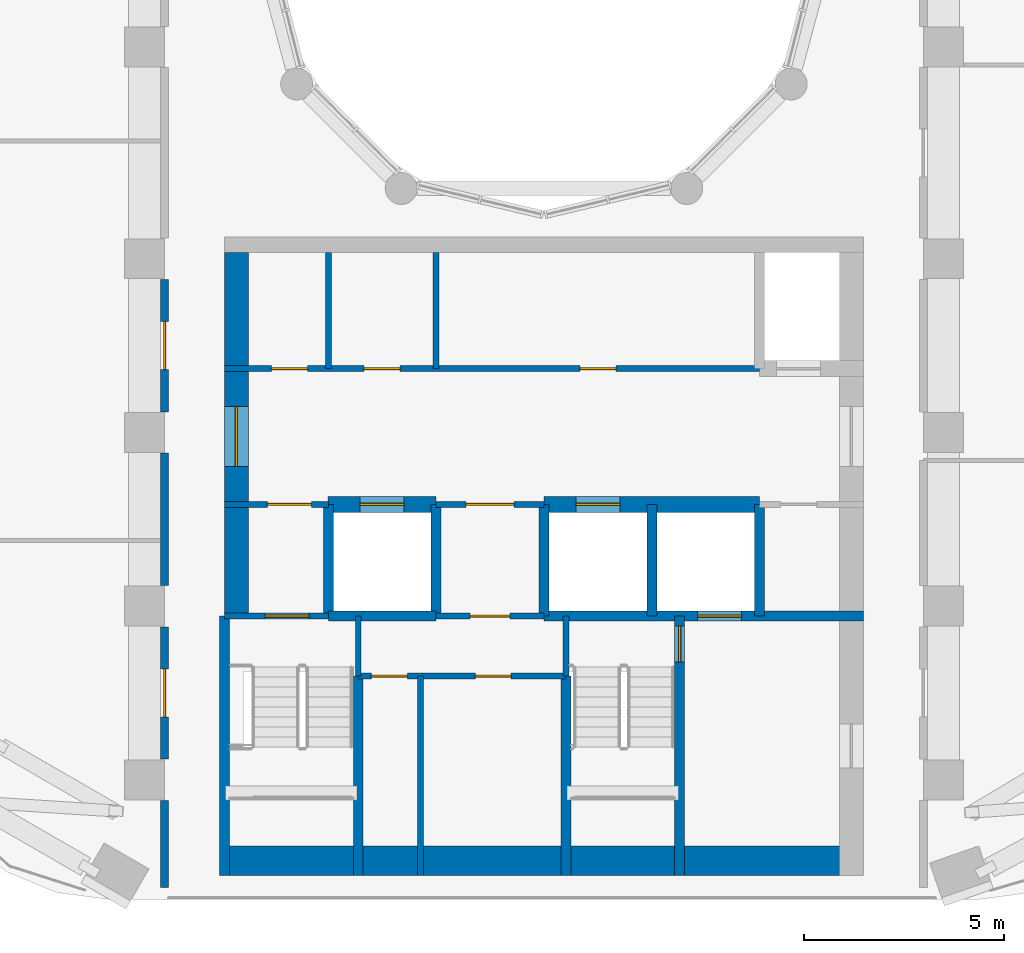
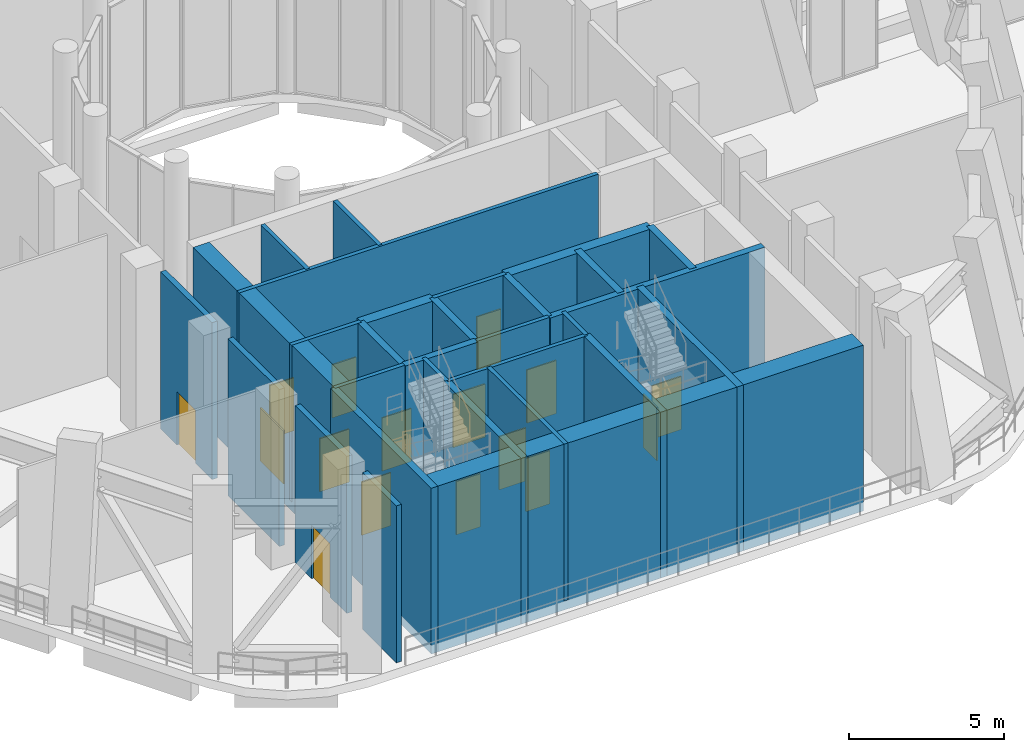
# One storey, part 8 of 19: 30 walls, 16 doors, 16 openings.
"""IFC4 building model written with IfcOpenShell, lengths in metres."""

from ifc_helpers import new_model, si_unit, direction, frame, frame_2d, origin, place, context, subcontext, project, spatial, rectangle, extrude, material, layer, layer_set, type_object, element, fill, save


model = new_model("IFC4")

# Units and contexts
model_context = context("Model", 3, precision=1e-05, world=origin(), true_north=direction((0.0, 1.0)))
body_context = subcontext(model_context, "Body", "Model", "MODEL_VIEW")
ifc_project = project(units=[si_unit("LENGTHUNIT", "METRE"), si_unit("AREAUNIT", "SQUARE_METRE"), si_unit("VOLUMEUNIT", "CUBIC_METRE"), si_unit("PLANEANGLEUNIT", "RADIAN"), si_unit("MASSUNIT", "GRAM", prefix="KILO")], contexts=[model_context])

# Site, building, storey
site_placement = place(None, origin())
site = spatial("IfcSite", under=ifc_project, at=site_placement, CompositionType="ELEMENT")
building_placement = place(site_placement, origin())
building = spatial("IfcBuilding", under=site, at=building_placement, Name="Nakaniwa Court", CompositionType="ELEMENT")
storey_placement = place(building_placement, frame((0.0, 0.0, 170.10009765625)))
storey = spatial("IfcBuildingStorey", under=building, at=storey_placement, Name="S3", CompositionType="ELEMENT", Elevation=170.10009765625)

# Wall
ifc_material_1 = material(Name="Acoustic double stud partition")
ifc_layer_1 = layer(ifc_material_1, 0.199951171875)
ifc_layer_set_1 = layer_set([ifc_layer_1], Name="Acoustic double stud partition")
wall_type_1 = type_object("IfcWallType", Name="Acoustic double stud partition 200", PredefinedType="PARTITIONING", material=ifc_layer_set_1)
wall_1_placement = place(storey_placement, frame((70.5, 56.300048828125, 0.0), z_axis=(0.0, 0.0, 1.0), x_axis=(0.0, 1.0, 0.0)))
element("IfcWall", 1, at=wall_1_placement, inside=storey, type_object=wall_type_1, Name="Partition PW-074", PredefinedType="PARTITIONING", context=body_context, shape_type="SweptSolid", body=[
    extrude(rectangle(XDim=2.182861328125, YDim=0.199951171875, at=frame_2d((1.09130859375, 0.0))), origin(), (0.0, 0.0, 1.0), 6.18994140625),
])

# Wall, opening, door
wall_2_placement = place(storey_placement, frame((70.5, 59.51708984375, 0.0), z_axis=(0.0, 0.0, 1.0), x_axis=(0.0, 1.0, 0.0)))
wall_2 = element("IfcWall", 2, at=wall_2_placement, inside=storey, type_object=wall_type_1, Name="Partition PW-075", PredefinedType="PARTITIONING", context=body_context, shape_type="SweptSolid", body=[
    extrude(rectangle(XDim=3.31591796875, YDim=0.199951171875, at=frame_2d((1.657958984375, 0.0))), origin(), (0.0, 0.0, 1.0), 6.18994140625),
])
opening_1_placement = place(wall_2_placement, frame((1.05810546875, 0.0, 0.0)))
opening_1 = element("IfcOpeningElement", 3, at=opening_1_placement, cuts=wall_2, Name="Opening D-35-03", PredefinedType="OPENING", context=body_context, shape_type="SweptSolid", body=[
    extrude(rectangle(XDim=1.199951171875, YDim=2.10009765625, at=frame_2d((0.60009765625, 1.050048828125))), frame((0.0, 0.10986328125, 0.0), z_axis=(0.0, -1.0, 0.0), x_axis=(1.0, 0.0, 0.0)), (0.0, 0.0, 1.0), 0.219970703125),
])
ifc_material_2 = material(Name="Fire rated steel door set", Category="steel")
door_type_1 = type_object("IfcDoorType", Name="Service room door 1200", OperationType="NOTDEFINED", PredefinedType="DOOR", material=ifc_material_2)
door_1_placement = place(opening_1_placement, origin())
door_1 = element("IfcDoor", 4, at=door_1_placement, inside=storey, type_object=door_type_1, Name="Door D-35-03 S3-028", OperationType="SINGLE_SWING_LEFT", OverallHeight=2.10009765625, OverallWidth=1.199951171875, PredefinedType="DOOR", context=body_context, shape_type="SweptSolid", body=[
    extrude(rectangle(XDim=1.199951171875, YDim=2.10009765625, at=frame_2d((0.60009765625, 1.050048828125))), frame((0.0, 0.02490234375, 0.0), z_axis=(0.0, -1.0, 0.0), x_axis=(1.0, 0.0, 0.0)), (0.0, 0.0, 1.0), 0.050048828125),
])
fill(opening_1, door_1)

# Wall
wall_3_placement = place(storey_placement, frame((70.5, 63.866943359375, 0.0), z_axis=(0.0, 0.0, 1.0), x_axis=(0.0, 1.0, 0.0)))
element("IfcWall", 5, at=wall_3_placement, inside=storey, type_object=wall_type_1, Name="Partition PW-076", PredefinedType="PARTITIONING", context=body_context, shape_type="SweptSolid", body=[
    extrude(rectangle(XDim=3.316162109375, YDim=0.199951171875, at=frame_2d((1.658203125, 0.0))), origin(), (0.0, 0.0, 1.0), 6.18994140625),
])

# Wall, opening, door
wall_4_placement = place(storey_placement, frame((70.5, 68.217041015625, 0.0), z_axis=(0.0, 0.0, 1.0), x_axis=(0.0, 1.0, 0.0)))
wall_4 = element("IfcWall", 6, at=wall_4_placement, inside=storey, type_object=wall_type_1, Name="Partition PW-077", PredefinedType="PARTITIONING", context=body_context, shape_type="SweptSolid", body=[
    extrude(rectangle(XDim=3.31591796875, YDim=0.199951171875, at=frame_2d((1.657958984375, 0.0))), origin(), (0.0, 0.0, 1.0), 6.18994140625),
])
opening_2_placement = place(wall_4_placement, frame((1.05810546875, 0.0, 0.0)))
opening_2 = element("IfcOpeningElement", 7, at=opening_2_placement, cuts=wall_4, Name="Opening D-30-04", PredefinedType="OPENING", context=body_context, shape_type="SweptSolid", body=[
    extrude(rectangle(XDim=1.199951171875, YDim=2.10009765625, at=frame_2d((0.60009765625, 1.050048828125))), frame((0.0, 0.10986328125, 0.0), z_axis=(0.0, -1.0, 0.0), x_axis=(1.0, 0.0, 0.0)), (0.0, 0.0, 1.0), 0.219970703125),
])
ifc_material_3 = material(Name="Solid core timber door set, black veneer", Category="wood")
door_type_2 = type_object("IfcDoorType", Name="Internal door 1200", OperationType="NOTDEFINED", PredefinedType="DOOR", material=ifc_material_3)
door_2_placement = place(opening_2_placement, origin())
door_2 = element("IfcDoor", 8, at=door_2_placement, inside=storey, type_object=door_type_2, Name="Door D-30-04 S3-029", OperationType="SINGLE_SWING_RIGHT", OverallHeight=2.10009765625, OverallWidth=1.199951171875, PredefinedType="DOOR", context=body_context, shape_type="SweptSolid", body=[
    extrude(rectangle(XDim=1.199951171875, YDim=2.10009765625, at=frame_2d((0.60009765625, 1.050048828125))), frame((0.0, 0.02490234375, 0.0), z_axis=(0.0, -1.0, 0.0), x_axis=(1.0, 0.0, 0.0)), (0.0, 0.0, 1.0), 0.050048828125),
])
fill(opening_2, door_2)

# Wall
ifc_material_4 = material(Name="Blockwork partition", Category="masonry")
ifc_layer_2 = layer(ifc_material_4, 0.14990234375)
ifc_layer_set_2 = layer_set([ifc_layer_2], Name="Blockwork partition")
wall_type_2 = type_object("IfcWallType", Name="Blockwork partition 150", PredefinedType="PARTITIONING", material=ifc_layer_set_2)
wall_5_placement = place(storey_placement, frame((74.60009765625, 69.300048828125, 0.0), z_axis=(0.0, 0.0, 1.0), x_axis=(0.0, 1.0, 0.0)))
element("IfcWall", 9, at=wall_5_placement, inside=storey, type_object=wall_type_2, Name="Partition PW-030", PredefinedType="PARTITIONING", context=body_context, shape_type="SweptSolid", body=[
    extrude(rectangle(XDim=2.89990234375, YDim=0.14990234375, at=frame_2d((1.449951171875, 0.0))), origin(), (0.0, 0.0, 1.0), 6.18994140625),
])

# Wall, openings, doors
wall_6_placement = place(storey_placement, frame((72.0, 69.300048828125, 0.0), z_axis=(0.0, 0.0, 1.0), x_axis=(1.0, 0.0, 0.0)))
wall_6 = element("IfcWall", 10, at=wall_6_placement, inside=storey, type_object=wall_type_2, Name="Partition PW-031", PredefinedType="PARTITIONING", context=body_context, shape_type="SweptSolid", body=[
    extrude(rectangle(XDim=13.39990234375, YDim=0.14990234375, at=frame_2d((6.699951171875, 0.0))), origin(), (0.0, 0.0, 1.0), 6.18994140625),
])
opening_3_placement = place(wall_6_placement, frame((1.175048828125, 0.0, 0.0)))
opening_3 = element("IfcOpeningElement", 11, at=opening_3_placement, cuts=wall_6, Name="Opening D-05-07", PredefinedType="OPENING", context=body_context, shape_type="SweptSolid", body=[
    extrude(rectangle(XDim=0.89990234375, YDim=2.10009765625, at=frame_2d((0.449951171875, 1.050048828125))), frame((0.0, 0.0849609375, 0.0), z_axis=(0.0, -1.0, 0.0), x_axis=(1.0, 0.0, 0.0)), (0.0, 0.0, 1.0), 0.169921875),
])
opening_4_placement = place(wall_6_placement, frame((3.5, 0.0, 0.0)))
opening_4 = element("IfcOpeningElement", 12, at=opening_4_placement, cuts=wall_6, Name="Opening D-05-08", PredefinedType="OPENING", context=body_context, shape_type="SweptSolid", body=[
    extrude(rectangle(XDim=0.89990234375, YDim=2.10009765625, at=frame_2d((0.449951171875, 1.050048828125))), frame((0.0, 0.0849609375, 0.0), z_axis=(0.0, -1.0, 0.0), x_axis=(1.0, 0.0, 0.0)), (0.0, 0.0, 1.0), 0.169921875),
])
opening_5_placement = place(wall_6_placement, frame((8.89990234375, 0.0, 0.0)))
opening_5 = element("IfcOpeningElement", 13, at=opening_5_placement, cuts=wall_6, Name="Opening D-05-09", PredefinedType="OPENING", context=body_context, shape_type="SweptSolid", body=[
    extrude(rectangle(XDim=0.89990234375, YDim=2.10009765625, at=frame_2d((0.449951171875, 1.050048828125))), frame((0.0, 0.0849609375, 0.0), z_axis=(0.0, -1.0, 0.0), x_axis=(1.0, 0.0, 0.0)), (0.0, 0.0, 1.0), 0.169921875),
])
door_type_3 = type_object("IfcDoorType", Name="Service room door 900", OperationType="NOTDEFINED", PredefinedType="DOOR", material=ifc_material_2)
door_3_placement = place(opening_3_placement, origin())
door_3 = element("IfcDoor", 14, at=door_3_placement, inside=storey, type_object=door_type_3, Name="Door D-05-07 S3-012", OperationType="SINGLE_SWING_LEFT", OverallHeight=2.10009765625, OverallWidth=0.89990234375, PredefinedType="DOOR", context=body_context, shape_type="SweptSolid", body=[
    extrude(rectangle(XDim=0.89990234375, YDim=2.10009765625, at=frame_2d((0.449951171875, 1.050048828125))), frame((0.0, 0.02490234375, 0.0), z_axis=(0.0, -1.0, 0.0), x_axis=(1.0, 0.0, 0.0)), (0.0, 0.0, 1.0), 0.050048828125),
])
fill(opening_3, door_3)
door_4_placement = place(opening_4_placement, origin())
door_4 = element("IfcDoor", 15, at=door_4_placement, inside=storey, type_object=door_type_3, Name="Door D-05-08 S3-013", OperationType="SINGLE_SWING_RIGHT", OverallHeight=2.10009765625, OverallWidth=0.89990234375, PredefinedType="DOOR", context=body_context, shape_type="SweptSolid", body=[
    extrude(rectangle(XDim=0.89990234375, YDim=2.10009765625, at=frame_2d((0.449951171875, 1.050048828125))), frame((0.0, 0.02490234375, 0.0), z_axis=(0.0, -1.0, 0.0), x_axis=(1.0, 0.0, 0.0)), (0.0, 0.0, 1.0), 0.050048828125),
])
fill(opening_4, door_4)
door_5_placement = place(opening_5_placement, origin())
door_5 = element("IfcDoor", 16, at=door_5_placement, inside=storey, type_object=door_type_3, Name="Door D-05-09 S3-014", OperationType="SINGLE_SWING_LEFT", OverallHeight=2.10009765625, OverallWidth=0.89990234375, PredefinedType="DOOR", context=body_context, shape_type="SweptSolid", body=[
    extrude(rectangle(XDim=0.89990234375, YDim=2.10009765625, at=frame_2d((0.449951171875, 1.050048828125))), frame((0.0, 0.02490234375, 0.0), z_axis=(0.0, -1.0, 0.0), x_axis=(1.0, 0.0, 0.0)), (0.0, 0.0, 1.0), 0.050048828125),
])
fill(opening_5, door_5)

# Wall
wall_7_placement = place(storey_placement, frame((77.300048828125, 69.300048828125, 0.0), z_axis=(0.0, 0.0, 1.0), x_axis=(0.0, 1.0, 0.0)))
element("IfcWall", 17, at=wall_7_placement, inside=storey, type_object=wall_type_2, Name="Partition PW-037", PredefinedType="PARTITIONING", context=body_context, shape_type="SweptSolid", body=[
    extrude(rectangle(XDim=2.89990234375, YDim=0.14990234375, at=frame_2d((1.449951171875, 0.0))), origin(), (0.0, 0.0, 1.0), 6.18994140625),
])

# Wall, opening, door
wall_8_placement = place(storey_placement, frame((74.60302734375, 65.89990234375, 0.0), z_axis=(0.0, 0.0, 1.0), x_axis=(-1.0, 0.0, 0.0)))
wall_8 = element("IfcWall", 18, at=wall_8_placement, inside=storey, type_object=wall_type_2, Name="Partition PW-038", PredefinedType="PARTITIONING", context=body_context, shape_type="SweptSolid", body=[
    extrude(rectangle(XDim=2.60302734375, YDim=0.14990234375, at=frame_2d((1.301513671875, 0.0))), origin(), (0.0, 0.0, 1.0), 6.18994140625),
])
opening_6_placement = place(wall_8_placement, frame((0.427978515625, 0.0, 0.0)))
opening_6 = element("IfcOpeningElement", 19, at=opening_6_placement, cuts=wall_8, Name="Opening D-08-02", PredefinedType="OPENING", context=body_context, shape_type="SweptSolid", body=[
    extrude(rectangle(XDim=1.10009765625, YDim=2.10009765625, at=frame_2d((0.550048828125, 1.050048828125))), frame((0.0, 0.0849609375, 0.0), z_axis=(0.0, -1.0, 0.0), x_axis=(1.0, 0.0, 0.0)), (0.0, 0.0, 1.0), 0.169921875),
])
door_type_4 = type_object("IfcDoorType", Name="Stair lobby door 1100", OperationType="NOTDEFINED", PredefinedType="DOOR", material=ifc_material_2)
door_6_placement = place(opening_6_placement, origin())
door_6 = element("IfcDoor", 20, at=door_6_placement, inside=storey, type_object=door_type_4, Name="Door D-08-02 S3-015", OperationType="SINGLE_SWING_RIGHT", OverallHeight=2.10009765625, OverallWidth=1.10009765625, PredefinedType="DOOR", context=body_context, shape_type="SweptSolid", body=[
    extrude(rectangle(XDim=1.10009765625, YDim=2.10009765625, at=frame_2d((0.550048828125, 1.050048828125))), frame((0.0, 0.02490234375, 0.0), z_axis=(0.0, -1.0, 0.0), x_axis=(1.0, 0.0, 0.0)), (0.0, 0.0, 1.0), 0.050048828125),
])
fill(opening_6, door_6)

wall_9_placement = place(storey_placement, frame((80.0029296875, 65.89990234375, 0.0), z_axis=(0.0, 0.0, 1.0), x_axis=(-1.0, 0.0, 0.0)))
wall_9 = element("IfcWall", 21, at=wall_9_placement, inside=storey, type_object=wall_type_2, Name="Partition PW-039", PredefinedType="PARTITIONING", context=body_context, shape_type="SweptSolid", body=[
    extrude(rectangle(XDim=2.705810546875, YDim=0.14990234375, at=frame_2d((1.35302734375, 0.0))), origin(), (0.0, 0.0, 1.0), 6.18994140625),
])
opening_7_placement = place(wall_9_placement, frame((0.7529296875, 0.0, 0.0)))
opening_7 = element("IfcOpeningElement", 22, at=opening_7_placement, cuts=wall_9, Name="Opening D-06-02", PredefinedType="OPENING", context=body_context, shape_type="SweptSolid", body=[
    extrude(rectangle(XDim=1.199951171875, YDim=2.10009765625, at=frame_2d((0.60009765625, 1.050048828125))), frame((0.0, 0.0849609375, 0.0), z_axis=(0.0, -1.0, 0.0), x_axis=(1.0, 0.0, 0.0)), (0.0, 0.0, 1.0), 0.169921875),
])
ifc_material_5 = material(Name="Fire rated steel double door set", Category="steel")
door_type_5 = type_object("IfcDoorType", Name="Service passage double door 1200", OperationType="NOTDEFINED", PredefinedType="DOOR", material=ifc_material_5)
door_7_placement = place(opening_7_placement, origin())
door_7 = element("IfcDoor", 23, at=door_7_placement, inside=storey, type_object=door_type_5, Name="Door D-06-02 S3-016", OperationType="DOUBLE_DOOR_SINGLE_SWING", OverallHeight=2.10009765625, OverallWidth=1.199951171875, PredefinedType="DOOR", context=body_context, shape_type="SweptSolid", body=[
    extrude(rectangle(XDim=1.199951171875, YDim=2.10009765625, at=frame_2d((0.60009765625, 1.050048828125))), frame((0.0, 0.02490234375, 0.0), z_axis=(0.0, -1.0, 0.0), x_axis=(1.0, 0.0, 0.0)), (0.0, 0.0, 1.0), 0.050048828125),
])
fill(opening_7, door_7)

wall_10_placement = place(storey_placement, frame((80.0, 63.10009765625, 0.0), z_axis=(0.0, 0.0, 1.0), x_axis=(-1.0, 0.0, 0.0)))
wall_10 = element("IfcWall", 24, at=wall_10_placement, inside=storey, type_object=wall_type_2, Name="Partition PW-049", PredefinedType="PARTITIONING", context=body_context, shape_type="SweptSolid", body=[
    extrude(rectangle(XDim=2.699951171875, YDim=0.14990234375, at=frame_2d((1.35009765625, 0.0))), origin(), (0.0, 0.0, 1.0), 6.18994140625),
])
opening_8_placement = place(wall_10_placement, frame((0.85009765625, 0.0, 0.0)))
opening_8 = element("IfcOpeningElement", 25, at=opening_8_placement, cuts=wall_10, Name="Opening D-23-02", PredefinedType="OPENING", context=body_context, shape_type="SweptSolid", body=[
    extrude(rectangle(XDim=1.0, YDim=2.10009765625, at=frame_2d((0.5, 1.050048828125))), frame((0.0, 0.0849609375, 0.0), z_axis=(0.0, -1.0, 0.0), x_axis=(1.0, 0.0, 0.0)), (0.0, 0.0, 1.0), 0.169921875),
])
door_type_6 = type_object("IfcDoorType", Name="Service room door 1000", OperationType="NOTDEFINED", PredefinedType="DOOR", material=ifc_material_2)
door_8_placement = place(opening_8_placement, origin())
door_8 = element("IfcDoor", 26, at=door_8_placement, inside=storey, type_object=door_type_6, Name="Door D-23-02 S3-018", OperationType="SINGLE_SWING_LEFT", OverallHeight=2.10009765625, OverallWidth=1.0, PredefinedType="DOOR", context=body_context, shape_type="SweptSolid", body=[
    extrude(rectangle(XDim=1.0, YDim=2.10009765625, at=frame_2d((0.5, 1.050048828125))), frame((0.0, 0.02490234375, 0.0), z_axis=(0.0, -1.0, 0.0), x_axis=(1.0, 0.0, 0.0)), (0.0, 0.0, 1.0), 0.050048828125),
])
fill(opening_8, door_8)

# Wall, openings, doors
wall_11_placement = place(storey_placement, frame((80.550048828125, 61.60009765625, 0.0), z_axis=(0.0, 0.0, 1.0), x_axis=(-1.0, 0.0, 0.0)))
wall_11 = element("IfcWall", 27, at=wall_11_placement, inside=storey, type_object=wall_type_2, Name="Partition PW-057", PredefinedType="PARTITIONING", context=body_context, shape_type="SweptSolid", body=[
    extrude(rectangle(XDim=5.199951171875, YDim=0.14990234375, at=frame_2d((2.60009765625, 0.0))), origin(), (0.0, 0.0, 1.0), 6.18994140625),
])
opening_9_placement = place(wall_11_placement, frame((3.969970703125, 0.0, 0.0)))
opening_9 = element("IfcOpeningElement", 28, at=opening_9_placement, cuts=wall_11, Name="Opening D-05-11", PredefinedType="OPENING", context=body_context, shape_type="SweptSolid", body=[
    extrude(rectangle(XDim=0.89990234375, YDim=2.10009765625, at=frame_2d((0.449951171875, 1.050048828125))), frame((0.0, 0.0849609375, 0.0), z_axis=(0.0, -1.0, 0.0), x_axis=(1.0, 0.0, 0.0)), (0.0, 0.0, 1.0), 0.169921875),
])
opening_10_placement = place(wall_11_placement, frame((1.3701171875, 0.0, 0.0)))
opening_10 = element("IfcOpeningElement", 29, at=opening_10_placement, cuts=wall_11, Name="Opening D-05-12", PredefinedType="OPENING", context=body_context, shape_type="SweptSolid", body=[
    extrude(rectangle(XDim=0.89990234375, YDim=2.10009765625, at=frame_2d((0.449951171875, 1.050048828125))), frame((0.0, 0.0849609375, 0.0), z_axis=(0.0, -1.0, 0.0), x_axis=(1.0, 0.0, 0.0)), (0.0, 0.0, 1.0), 0.169921875),
])
door_9_placement = place(opening_9_placement, origin())
door_9 = element("IfcDoor", 30, at=door_9_placement, inside=storey, type_object=door_type_3, Name="Door D-05-11 S3-019", OperationType="SINGLE_SWING_RIGHT", OverallHeight=2.10009765625, OverallWidth=0.89990234375, PredefinedType="DOOR", context=body_context, shape_type="SweptSolid", body=[
    extrude(rectangle(XDim=0.89990234375, YDim=2.10009765625, at=frame_2d((0.449951171875, 1.050048828125))), frame((0.0, 0.02490234375, 0.0), z_axis=(0.0, -1.0, 0.0), x_axis=(1.0, 0.0, 0.0)), (0.0, 0.0, 1.0), 0.050048828125),
])
fill(opening_9, door_9)
door_10_placement = place(opening_10_placement, origin())
door_10 = element("IfcDoor", 31, at=door_10_placement, inside=storey, type_object=door_type_3, Name="Door D-05-12 S3-020", OperationType="SINGLE_SWING_LEFT", OverallHeight=2.10009765625, OverallWidth=0.89990234375, PredefinedType="DOOR", context=body_context, shape_type="SweptSolid", body=[
    extrude(rectangle(XDim=0.89990234375, YDim=2.10009765625, at=frame_2d((0.449951171875, 1.050048828125))), frame((0.0, 0.02490234375, 0.0), z_axis=(0.0, -1.0, 0.0), x_axis=(1.0, 0.0, 0.0)), (0.0, 0.0, 1.0), 0.050048828125),
])
fill(opening_10, door_10)

# Wall
wall_12_placement = place(storey_placement, frame((76.909912109375, 56.60009765625, 0.0), z_axis=(0.0, 0.0, 1.0), x_axis=(0.0, 1.0, 0.0)))
element("IfcWall", 32, at=wall_12_placement, inside=storey, type_object=wall_type_2, Name="Partition PW-058", PredefinedType="PARTITIONING", context=body_context, shape_type="SweptSolid", body=[
    extrude(rectangle(XDim=5.0, YDim=0.14990234375, at=frame_2d((2.5, 0.0))), origin(), (0.0, 0.0, 1.0), 6.18994140625),
])

# Wall, opening, door
ifc_material_6 = material(Name="Concrete C80/100", Category="concrete")
ifc_layer_3 = layer(ifc_material_6, 0.60009765625)
ifc_layer_set_3 = layer_set([ifc_layer_3], Name="Concrete C80/100")
wall_type_3 = type_object("IfcWallType", Name="Concrete core side wall 600 C80", PredefinedType="SHEAR", material=ifc_layer_set_3)
wall_13_placement = place(storey_placement, frame((72.300048828125, 63.10009765625, -0.35009765625), z_axis=(0.0, 0.0, 1.0), x_axis=(0.0, 1.0, 0.0)))
wall_13 = element("IfcWall", 33, at=wall_13_placement, inside=storey, type_object=wall_type_3, Name="Core wall SW-32", PredefinedType="SHEAR", context=body_context, shape_type="SweptSolid", body=[
    extrude(rectangle(XDim=9.099853515625, YDim=0.60009765625, at=frame_2d((4.5498046875, 0.0))), origin(), (0.0, 0.0, 1.0), 6.5400390625),
])
opening_11_placement = place(wall_13_placement, frame((3.75, 0.0, 0.35009765625)))
opening_11 = element("IfcOpeningElement", 34, at=opening_11_placement, cuts=wall_13, Name="Opening D-07-04", PredefinedType="OPENING", context=body_context, shape_type="SweptSolid", body=[
    extrude(rectangle(XDim=1.5, YDim=2.10009765625, at=frame_2d((0.75, 1.050048828125))), frame((0.0, 0.31005859375, 0.0), z_axis=(0.0, -1.0, 0.0), x_axis=(1.0, 0.0, 0.0)), (0.0, 0.0, 1.0), 0.6201171875),
])
ifc_material_7 = material(Name="Glazed fire rated steel double door set", Category="steel")
door_type_7 = type_object("IfcDoorType", Name="Lobby double door 1500", OperationType="NOTDEFINED", PredefinedType="DOOR", material=ifc_material_7)
door_11_placement = place(opening_11_placement, origin())
door_11 = element("IfcDoor", 35, at=door_11_placement, inside=storey, type_object=door_type_7, Name="Door D-07-04 S3-037", OperationType="DOUBLE_DOOR_SINGLE_SWING", OverallHeight=2.10009765625, OverallWidth=1.5, PredefinedType="DOOR", context=body_context, shape_type="SweptSolid", body=[
    extrude(rectangle(XDim=1.5, YDim=2.10009765625, at=frame_2d((0.75, 1.050048828125))), frame((0.0, 0.02490234375, 0.0), z_axis=(0.0, -1.0, 0.0), x_axis=(1.0, 0.0, 0.0)), (0.0, 0.0, 1.0), 0.050048828125),
])
fill(opening_11, door_11)

ifc_layer_4 = layer(ifc_material_6, 0.39990234375)
ifc_layer_set_4 = layer_set([ifc_layer_4], Name="Concrete C80/100")
wall_type_4 = type_object("IfcWallType", Name="Concrete core spine wall 400 C80", PredefinedType="SHEAR", material=ifc_layer_set_4)
wall_14_placement = place(storey_placement, frame((74.596923828125, 65.89990234375, -0.35009765625), z_axis=(0.0, 0.0, 1.0), x_axis=(1.0, 0.0, 0.0)))
wall_14 = element("IfcWall", 36, at=wall_14_placement, inside=storey, type_object=wall_type_4, Name="Core wall SW-41", PredefinedType="SHEAR", context=body_context, shape_type="SweptSolid", body=[
    extrude(rectangle(XDim=2.7060546875, YDim=0.39990234375, at=frame_2d((1.35302734375, 0.0))), origin(), (0.0, 0.0, 1.0), 6.5400390625),
])
opening_12_placement = place(wall_14_placement, frame((0.802978515625, 0.0, 0.35009765625)))
opening_12 = element("IfcOpeningElement", 37, at=opening_12_placement, cuts=wall_14, Name="Opening LD06", PredefinedType="OPENING", context=body_context, shape_type="SweptSolid", body=[
    extrude(rectangle(XDim=1.10009765625, YDim=2.10009765625, at=frame_2d((0.550048828125, 1.050048828125))), frame((0.0, 0.2099609375, 0.0), z_axis=(0.0, -1.0, 0.0), x_axis=(1.0, 0.0, 0.0)), (0.0, 0.0, 1.0), 0.419921875),
])
ifc_material_8 = material(Name="Stainless steel sliding lift landing door", Category="steel")
door_type_8 = type_object("IfcDoorType", Name="Lift landing door 1100", OperationType="NOTDEFINED", PredefinedType="DOOR", material=ifc_material_8)
door_12_placement = place(opening_12_placement, origin())
door_12 = element("IfcDoor", 38, at=door_12_placement, inside=storey, type_object=door_type_8, Name="Lift landing door LD06 S3-006", OperationType="SLIDING_TO_LEFT", OverallHeight=2.10009765625, OverallWidth=1.10009765625, PredefinedType="DOOR", context=body_context, shape_type="SweptSolid", body=[
    extrude(rectangle(XDim=1.10009765625, YDim=2.10009765625, at=frame_2d((0.550048828125, 1.050048828125))), frame((0.0, 0.02490234375, 0.0), z_axis=(0.0, -1.0, 0.0), x_axis=(1.0, 0.0, 0.0)), (0.0, 0.0, 1.0), 0.050048828125),
])
fill(opening_12, door_12)

wall_15_placement = place(storey_placement, frame((79.9970703125, 65.89990234375, -0.35009765625), z_axis=(0.0, 0.0, 1.0), x_axis=(1.0, 0.0, 0.0)))
wall_15 = element("IfcWall", 39, at=wall_15_placement, inside=storey, type_object=wall_type_4, Name="Core wall SW-42", PredefinedType="SHEAR", context=body_context, shape_type="SweptSolid", body=[
    extrude(rectangle(XDim=5.406005859375, YDim=0.39990234375, at=frame_2d((2.703125, 0.0))), origin(), (0.0, 0.0, 1.0), 6.5400390625),
])
opening_13_placement = place(wall_15_placement, frame((0.802978515625, 0.0, 0.35009765625)))
opening_13 = element("IfcOpeningElement", 40, at=opening_13_placement, cuts=wall_15, Name="Opening LD07", PredefinedType="OPENING", context=body_context, shape_type="SweptSolid", body=[
    extrude(rectangle(XDim=1.10009765625, YDim=2.10009765625, at=frame_2d((0.550048828125, 1.050048828125))), frame((0.0, 0.2099609375, 0.0), z_axis=(0.0, -1.0, 0.0), x_axis=(1.0, 0.0, 0.0)), (0.0, 0.0, 1.0), 0.419921875),
])
door_13_placement = place(opening_13_placement, origin())
door_13 = element("IfcDoor", 41, at=door_13_placement, inside=storey, type_object=door_type_8, Name="Lift landing door LD07 S3-007", OperationType="SLIDING_TO_LEFT", OverallHeight=2.10009765625, OverallWidth=1.10009765625, PredefinedType="DOOR", context=body_context, shape_type="SweptSolid", body=[
    extrude(rectangle(XDim=1.10009765625, YDim=2.10009765625, at=frame_2d((0.550048828125, 1.050048828125))), frame((0.0, 0.02490234375, 0.0), z_axis=(0.0, -1.0, 0.0), x_axis=(1.0, 0.0, 0.0)), (0.0, 0.0, 1.0), 0.050048828125),
])
fill(opening_13, door_13)

ifc_layer_5 = layer(ifc_material_6, 0.14990234375)
ifc_layer_set_5 = layer_set([ifc_layer_5], Name="Concrete C80/100")
wall_type_5 = type_object("IfcWallType", Name="Concrete core wall 150 C80", PredefinedType="SHEAR", material=ifc_layer_set_5)
wall_16_placement = place(storey_placement, frame((72.0, 63.10009765625, -0.35009765625), z_axis=(0.0, 0.0, 1.0), x_axis=(1.0, 0.0, 0.0)))
wall_16 = element("IfcWall", 42, at=wall_16_placement, inside=storey, type_object=wall_type_5, Name="Core wall SW-44", PredefinedType="SHEAR", context=body_context, shape_type="SweptSolid", body=[
    extrude(rectangle(XDim=2.60009765625, YDim=0.14990234375, at=frame_2d((1.300048828125, 0.0))), origin(), (0.0, 0.0, 1.0), 6.5400390625),
])
opening_14_placement = place(wall_16_placement, frame((1.02001953125, 0.0, 0.35009765625)))
opening_14 = element("IfcOpeningElement", 43, at=opening_14_placement, cuts=wall_16, Name="Opening D-09-02", PredefinedType="OPENING", context=body_context, shape_type="SweptSolid", body=[
    extrude(rectangle(XDim=1.10009765625, YDim=2.10009765625, at=frame_2d((0.550048828125, 1.050048828125))), frame((0.0, 0.0849609375, 0.0), z_axis=(0.0, -1.0, 0.0), x_axis=(1.0, 0.0, 0.0)), (0.0, 0.0, 1.0), 0.169921875),
])
door_type_9 = type_object("IfcDoorType", Name="Stair door 1100", OperationType="NOTDEFINED", PredefinedType="DOOR", material=ifc_material_2)
door_14_placement = place(opening_14_placement, origin())
door_14 = element("IfcDoor", 44, at=door_14_placement, inside=storey, type_object=door_type_9, Name="Door D-09-02 S3-021", OperationType="SINGLE_SWING_LEFT", OverallHeight=2.10009765625, OverallWidth=1.10009765625, PredefinedType="DOOR", context=body_context, shape_type="SweptSolid", body=[
    extrude(rectangle(XDim=1.10009765625, YDim=2.10009765625, at=frame_2d((0.550048828125, 1.050048828125))), frame((0.0, 0.02490234375, 0.0), z_axis=(0.0, -1.0, 0.0), x_axis=(1.0, 0.0, 0.0)), (0.0, 0.0, 1.0), 0.050048828125),
])
fill(opening_14, door_14)

# Walls
for number, where, z_axis, x_axis, name in (
    (45, (75.35009765625, 61.596923828125, -0.35009765625), (0.0, 0.0, 1.0), (0.0, 1.0, 0.0), "Core wall SW-51"),
    (46, (80.550048828125, 61.596923828125, -0.35009765625), (0.0, 0.0, 1.0), (0.0, 1.0, 0.0), "Core wall SW-55"),
):
    element("IfcWall", number, at=place(storey_placement, frame(where, z_axis=z_axis, x_axis=x_axis)), inside=storey, type_object=wall_type_5, Name=name, PredefinedType="SHEAR", context=body_context, shape_type="SweptSolid", body=[
        extrude(rectangle(XDim=1.503173828125, YDim=0.14990234375, at=frame_2d((0.75146484375, 0.0))), origin(), (0.0, 0.0, 1.0), 6.5400390625),
    ])
ifc_layer_6 = layer(ifc_material_6, 0.25)
ifc_layer_set_6 = layer_set([ifc_layer_6], Name="Concrete C80/100")
wall_type_6 = type_object("IfcWallType", Name="Concrete core wall 250 C80", PredefinedType="SHEAR", material=ifc_layer_set_6)
wall_17_placement = place(storey_placement, frame((72.0, 56.60009765625, -0.35009765625), z_axis=(0.0, 0.0, 1.0), x_axis=(0.0, 1.0, 0.0)))
element("IfcWall", 47, at=wall_17_placement, inside=storey, type_object=wall_type_6, Name="Core wall SW-53", PredefinedType="SHEAR", context=body_context, shape_type="SweptSolid", body=[
    extrude(rectangle(XDim=6.5, YDim=0.25, at=frame_2d((3.25, 0.0))), origin(), (0.0, 0.0, 1.0), 6.5400390625),
])
ifc_layer_7 = layer(ifc_material_6, 0.75)
ifc_layer_set_7 = layer_set([ifc_layer_7], Name="Concrete C80/100")
wall_type_7 = type_object("IfcWallType", Name="Concrete core wall 750 C80", PredefinedType="SHEAR", material=ifc_layer_set_7)
wall_18_placement = place(storey_placement, frame((72.00390625, 56.97509765625, -0.35009765625), z_axis=(0.0, 0.0, 1.0), x_axis=(1.0, 0.0, 0.0)))
element("IfcWall", 48, at=wall_18_placement, inside=storey, type_object=wall_type_7, Name="Core wall SW-93", PredefinedType="SHEAR", context=body_context, shape_type="SweptSolid", body=[
    extrude(rectangle(XDim=15.9921875, YDim=0.75, at=frame_2d((7.99609375, 0.0))), origin(), (0.0, 0.0, 1.0), 6.5400390625),
])
ifc_layer_8 = layer(ifc_material_6, 0.25)
ifc_layer_set_8 = layer_set([ifc_layer_8], Name="Concrete C80/100")
wall_type_8 = type_object("IfcWallType", Name="Concrete shaft wall 250 C80", PredefinedType="SHEAR", material=ifc_layer_set_8)
for number, where, z_axis, x_axis, name in (
    (49, (85.39990234375, 63.10009765625, -0.35009765625), (0.0, 0.0, 1.0), (0.0, 1.0, 0.0), "Core wall SW-33"),
    (50, (74.60009765625, 63.10009765625, -0.35009765625), (0.0, 0.0, 1.0), (0.0, 1.0, 0.0), "Core wall SW-43"),
    (51, (77.300048828125, 63.10009765625, -0.35009765625), (0.0, 0.0, 1.0), (0.0, 1.0, 0.0), "Core wall SW-45"),
):
    element("IfcWall", number, at=place(storey_placement, frame(where, z_axis=z_axis, x_axis=x_axis)), inside=storey, type_object=wall_type_8, Name=name, PredefinedType="SHEAR", context=body_context, shape_type="SweptSolid", body=[
        extrude(rectangle(XDim=2.7998046875, YDim=0.25, at=frame_2d((1.39990234375, 0.0))), origin(), (0.0, 0.0, 1.0), 6.5400390625),
    ])
wall_19_placement = place(storey_placement, frame((74.60009765625, 63.10009765625, -0.35009765625), z_axis=(0.0, 0.0, 1.0), x_axis=(1.0, 0.0, 0.0)))
element("IfcWall", 52, at=wall_19_placement, inside=storey, type_object=wall_type_8, Name="Core wall SW-46", PredefinedType="SHEAR", context=body_context, shape_type="SweptSolid", body=[
    extrude(rectangle(XDim=2.699951171875, YDim=0.25, at=frame_2d((1.35009765625, 0.0))), origin(), (0.0, 0.0, 1.0), 6.5400390625),
])

# Wall, opening, door
wall_20_placement = place(storey_placement, frame((80.0, 63.10009765625, -0.35009765625), z_axis=(0.0, 0.0, 1.0), x_axis=(1.0, 0.0, 0.0)))
wall_20 = element("IfcWall", 53, at=wall_20_placement, inside=storey, type_object=wall_type_8, Name="Core wall SW-47", PredefinedType="SHEAR", context=body_context, shape_type="SweptSolid", body=[
    extrude(rectangle(XDim=8.0, YDim=0.25, at=frame_2d((4.0, 0.0))), origin(), (0.0, 0.0, 1.0), 6.5400390625),
])
opening_15_placement = place(wall_20_placement, frame((3.84912109375, 0.0, 0.35009765625)))
opening_15 = element("IfcOpeningElement", 54, at=opening_15_placement, cuts=wall_20, Name="Opening LD08", PredefinedType="OPENING", context=body_context, shape_type="SweptSolid", body=[
    extrude(rectangle(XDim=1.10009765625, YDim=2.10009765625, at=frame_2d((0.550048828125, 1.050048828125))), frame((0.0, 0.135009765625, 0.0), z_axis=(0.0, -1.0, 0.0), x_axis=(1.0, 0.0, 0.0)), (0.0, 0.0, 1.0), 0.27001953125),
])
door_15_placement = place(opening_15_placement, origin())
door_15 = element("IfcDoor", 55, at=door_15_placement, inside=storey, type_object=door_type_8, Name="Lift landing door LD08 S3-008", OperationType="SLIDING_TO_LEFT", OverallHeight=2.10009765625, OverallWidth=1.10009765625, PredefinedType="DOOR", context=body_context, shape_type="SweptSolid", body=[
    extrude(rectangle(XDim=1.10009765625, YDim=2.10009765625, at=frame_2d((0.550048828125, 1.050048828125))), frame((0.0, 0.02490234375, 0.0), z_axis=(0.0, -1.0, 0.0), x_axis=(1.0, 0.0, 0.0)), (0.0, 0.0, 1.0), 0.050048828125),
])
fill(opening_15, door_15)

# Walls
for number, where, z_axis, x_axis, name in (
    (56, (80.0, 63.10009765625, -0.35009765625), (0.0, 0.0, 1.0), (0.0, 1.0, 0.0), "Core wall SW-48"),
    (57, (82.699951171875, 63.10009765625, -0.35009765625), (0.0, 0.0, 1.0), (0.0, 1.0, 0.0), "Core wall SW-50"),
):
    element("IfcWall", number, at=place(storey_placement, frame(where, z_axis=z_axis, x_axis=x_axis)), inside=storey, type_object=wall_type_8, Name=name, PredefinedType="SHEAR", context=body_context, shape_type="SweptSolid", body=[
        extrude(rectangle(XDim=2.7998046875, YDim=0.25, at=frame_2d((1.39990234375, 0.0))), origin(), (0.0, 0.0, 1.0), 6.5400390625),
    ])
wall_21_placement = place(storey_placement, frame((75.35009765625, 56.60009765625, -0.35009765625), z_axis=(0.0, 0.0, 1.0), x_axis=(0.0, 1.0, 0.0)))
element("IfcWall", 58, at=wall_21_placement, inside=storey, type_object=wall_type_8, Name="Core wall SW-52", PredefinedType="SHEAR", context=body_context, shape_type="SweptSolid", body=[
    extrude(rectangle(XDim=5.0029296875, YDim=0.25, at=frame_2d((2.50146484375, 0.0))), origin(), (0.0, 0.0, 1.0), 6.5400390625),
])

# Wall, opening, door
wall_22_placement = place(storey_placement, frame((83.39990234375, 63.10009765625, -0.35009765625), z_axis=(0.0, 0.0, 1.0), x_axis=(0.0, -1.0, 0.0)))
wall_22 = element("IfcWall", 59, at=wall_22_placement, inside=storey, type_object=wall_type_8, Name="Core wall SW-54", PredefinedType="SHEAR", context=body_context, shape_type="SweptSolid", body=[
    extrude(rectangle(XDim=6.5, YDim=0.25, at=frame_2d((3.25, 0.0))), origin(), (0.0, 0.0, 1.0), 6.5400390625),
])
opening_16_placement = place(wall_22_placement, frame((0.25, 0.0, 0.35009765625)))
opening_16 = element("IfcOpeningElement", 60, at=opening_16_placement, cuts=wall_22, Name="Opening D-11-02", PredefinedType="OPENING", context=body_context, shape_type="SweptSolid", body=[
    extrude(rectangle(XDim=0.89990234375, YDim=2.10009765625, at=frame_2d((0.449951171875, 1.050048828125))), frame((0.0, 0.135009765625, 0.0), z_axis=(0.0, -1.0, 0.0), x_axis=(1.0, 0.0, 0.0)), (0.0, 0.0, 1.0), 0.27001953125),
])
door_type_10 = type_object("IfcDoorType", Name="Stair door 900", OperationType="NOTDEFINED", PredefinedType="DOOR", material=ifc_material_2)
door_16_placement = place(opening_16_placement, origin())
door_16 = element("IfcDoor", 61, at=door_16_placement, inside=storey, type_object=door_type_10, Name="Door D-11-02 S3-022", OperationType="SINGLE_SWING_RIGHT", OverallHeight=2.10009765625, OverallWidth=0.89990234375, PredefinedType="DOOR", context=body_context, shape_type="SweptSolid", body=[
    extrude(rectangle(XDim=0.89990234375, YDim=2.10009765625, at=frame_2d((0.449951171875, 1.050048828125))), frame((0.0, 0.02490234375, 0.0), z_axis=(0.0, -1.0, 0.0), x_axis=(1.0, 0.0, 0.0)), (0.0, 0.0, 1.0), 0.050048828125),
])
fill(opening_16, door_16)

# Wall
wall_23_placement = place(storey_placement, frame((80.550048828125, 56.60009765625, -0.35009765625), z_axis=(0.0, 0.0, 1.0), x_axis=(0.0, 1.0, 0.0)))
element("IfcWall", 62, at=wall_23_placement, inside=storey, type_object=wall_type_8, Name="Core wall SW-56", PredefinedType="SHEAR", context=body_context, shape_type="SweptSolid", body=[
    extrude(rectangle(XDim=5.0029296875, YDim=0.25, at=frame_2d((2.50146484375, 0.0))), origin(), (0.0, 0.0, 1.0), 6.5400390625),
])

save(model, "model.ifc")
